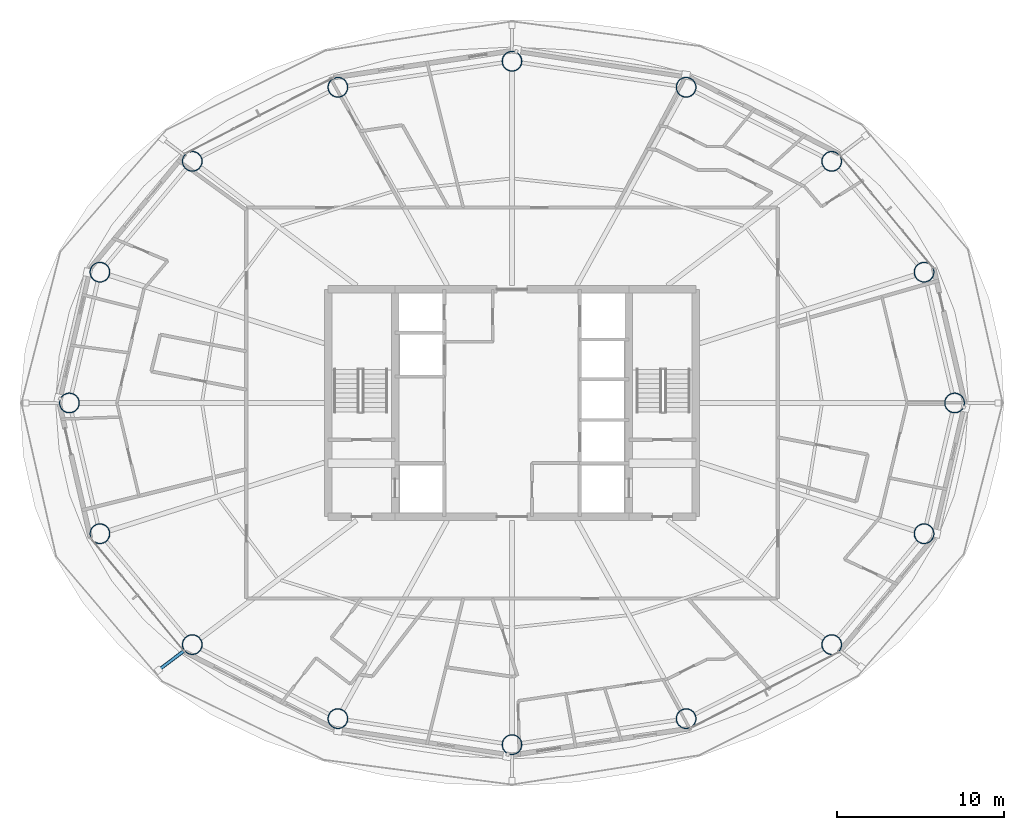
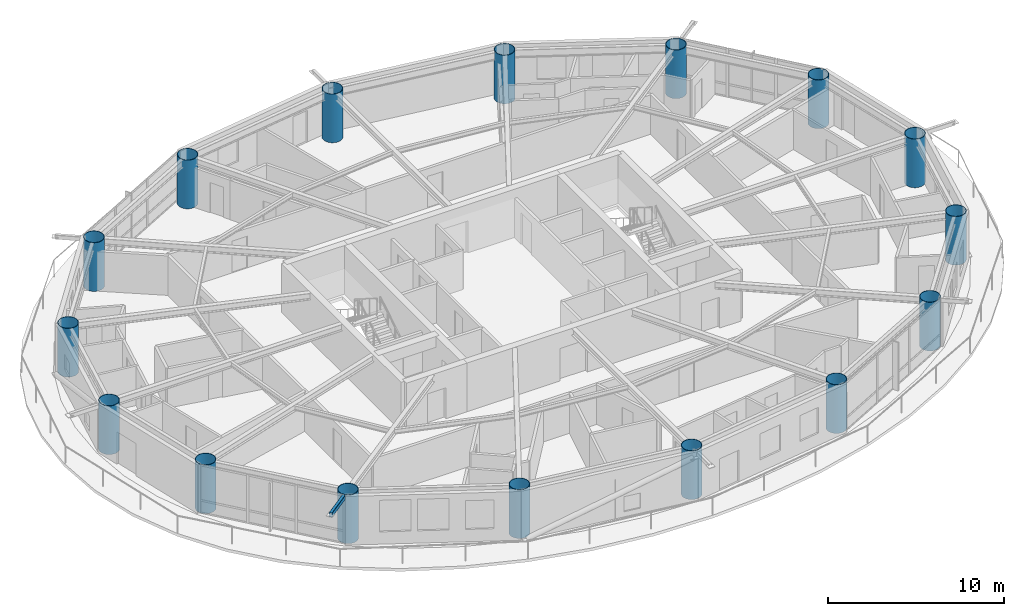
# One storey, part 1 of 28: 16 columns, 1 member.
"""IFC4 building model written with IfcOpenShell, lengths in metres."""

from ifc_helpers import new_model, si_unit, direction, frame, origin, origin_2d, place, context, subcontext, project, spatial, hollow_rectangle, hollow_circle, extrude, material, material_profile, profile_set, type_object, element, save


model = new_model("IFC4")

# Units and contexts
model_context = context("Model", 3, precision=1e-05, world=origin(), true_north=direction((0.0, 1.0)))
body_context = subcontext(model_context, "Body", "Model", "MODEL_VIEW")
ifc_project = project(units=[si_unit("LENGTHUNIT", "METRE"), si_unit("AREAUNIT", "SQUARE_METRE"), si_unit("VOLUMEUNIT", "CUBIC_METRE"), si_unit("PLANEANGLEUNIT", "RADIAN"), si_unit("MASSUNIT", "GRAM", prefix="KILO")], contexts=[model_context])

# Site, building, storey
site_placement = place(None, origin())
site = spatial("IfcSite", under=ifc_project, at=site_placement, CompositionType="ELEMENT")
building_placement = place(site_placement, origin())
building = spatial("IfcBuilding", under=site, at=building_placement, Name="Sarneth Arch Tower", CompositionType="ELEMENT")
storey_placement = place(building_placement, frame((0.0, 0.0, 183.0)))
storey = spatial("IfcBuildingStorey", under=building, at=storey_placement, Name="L46", CompositionType="ELEMENT", Elevation=183.0)

# Columns
ifc_material_1 = material(Name="Steel S355", Category="steel")
ifc_material_profile_1 = material_profile(ifc_material_1, hollow_circle(Radius=0.60009765625, WallThickness=0.031982421875, at=origin_2d()), Name="CHS1200x32")
ifc_profile_set_1 = profile_set([ifc_material_profile_1], Name="Steel S355")
column_type = type_object("IfcColumnType", Name="COL-MEGA-1200", PredefinedType="COLUMN", material=ifc_profile_set_1)
for number, where, z_axis, x_axis, name in (
    (1, (74.487060546875, 42.0, 0.0), (0.0, 0.0, 1.0), (1.0, 0.0, 0.0), "L46 Perimeter mega-column M01"),
    (2, (72.662109375, 49.825927734375, 0.0), (0.0, 0.0, 1.0), (1.0, 0.0, 0.0), "L46 Perimeter mega-column M02"),
    (3, (67.1337890625, 56.46044921875, 0.0), (0.0, 0.0, 1.0), (1.0, 0.0, 0.0), "L46 Perimeter mega-column M03"),
    (4, (58.421875, 60.893310546875, 0.0), (0.0, 0.0, 1.0), (1.0, 0.0, 0.0), "L46 Perimeter mega-column M04"),
    (5, (48.0, 62.449951171875, 0.0), (0.0, 0.0, 1.0), (1.0, 0.0, 0.0), "L46 Perimeter mega-column M05"),
    (6, (37.578125, 60.893310546875, 0.0), (0.0, 0.0, 1.0), (1.0, 0.0, 0.0), "L46 Perimeter mega-column M06"),
    (7, (28.8662109375, 56.46044921875, 0.0), (0.0, 0.0, 1.0), (1.0, 0.0, 0.0), "L46 Perimeter mega-column M07"),
    (8, (23.337890625, 49.825927734375, 0.0), (0.0, 0.0, 1.0), (1.0, 0.0, 0.0), "L46 Perimeter mega-column M08"),
    (9, (21.512939453125, 42.0, 0.0), (0.0, 0.0, 1.0), (1.0, 0.0, 0.0), "L46 Perimeter mega-column M09"),
    (10, (23.337890625, 34.174072265625, 0.0), (0.0, 0.0, 1.0), (1.0, 0.0, 0.0), "L46 Perimeter mega-column M10"),
    (11, (28.8662109375, 27.53955078125, 0.0), (0.0, 0.0, 1.0), (1.0, 0.0, 0.0), "L46 Perimeter mega-column M11"),
    (12, (37.578125, 23.106689453125, 0.0), (0.0, 0.0, 1.0), (1.0, 0.0, 0.0), "L46 Perimeter mega-column M12"),
    (13, (48.0, 21.550048828125, 0.0), (0.0, 0.0, 1.0), (1.0, 0.0, 0.0), "L46 Perimeter mega-column M13"),
    (14, (58.421875, 23.106689453125, 0.0), (0.0, 0.0, 1.0), (1.0, 0.0, 0.0), "L46 Perimeter mega-column M14"),
    (15, (67.1337890625, 27.53955078125, 0.0), (0.0, 0.0, 1.0), (1.0, 0.0, 0.0), "L46 Perimeter mega-column M15"),
    (16, (72.662109375, 34.174072265625, 0.0), (0.0, 0.0, 1.0), (1.0, 0.0, 0.0), "L46 Perimeter mega-column M16"),
):
    element("IfcColumn", number, at=place(storey_placement, frame(where, z_axis=z_axis, x_axis=x_axis)), inside=storey, type_object=column_type, Name=name, PredefinedType="COLUMN", context=body_context, shape_type="SweptSolid", body=[
        extrude(hollow_circle(Radius=0.60009765625, WallThickness=0.031982421875, at=origin_2d()), origin(), (0.0, 0.0, 1.0), 3.3798828125),
    ])

# Member
ifc_material_2 = material(Name="Steel S355", Category="steel")
ifc_material_profile_2 = material_profile(ifc_material_2, hollow_rectangle(XDim=0.199951171875, YDim=0.300048828125, WallThickness=0.012451171875, InnerFilletRadius=0.018798828125, OuterFilletRadius=0.03125, at=origin_2d()), Name="RHS300x200x12.5")
ifc_profile_set_2 = profile_set([ifc_material_profile_2], Name="Steel S355")
member_type = type_object("IfcMemberType", Name="MEM-CANT-STRUT", PredefinedType="STRUT", material=ifc_profile_set_2)
member_placement = place(storey_placement, frame((28.387451171875, 27.177978515625, 3.219970703125), z_axis=(-0.797755470319, -0.602981102171, 0.0), x_axis=(0.602981102171, -0.797755470319, 0.0)))
element("IfcMember", 17, at=member_placement, inside=storey, type_object=member_type, Name="L46 Balcony cantilever bracket 11", PredefinedType="STRUT", context=body_context, shape_type="SweptSolid", body=[
    extrude(hollow_rectangle(XDim=0.199951171875, YDim=0.300048828125, WallThickness=0.012451171875, InnerFilletRadius=0.018798828125, OuterFilletRadius=0.03125, at=origin_2d()), origin(), (0.0, 0.0, 1.0), 1.9365234375),
])

save(model, "model.ifc")
